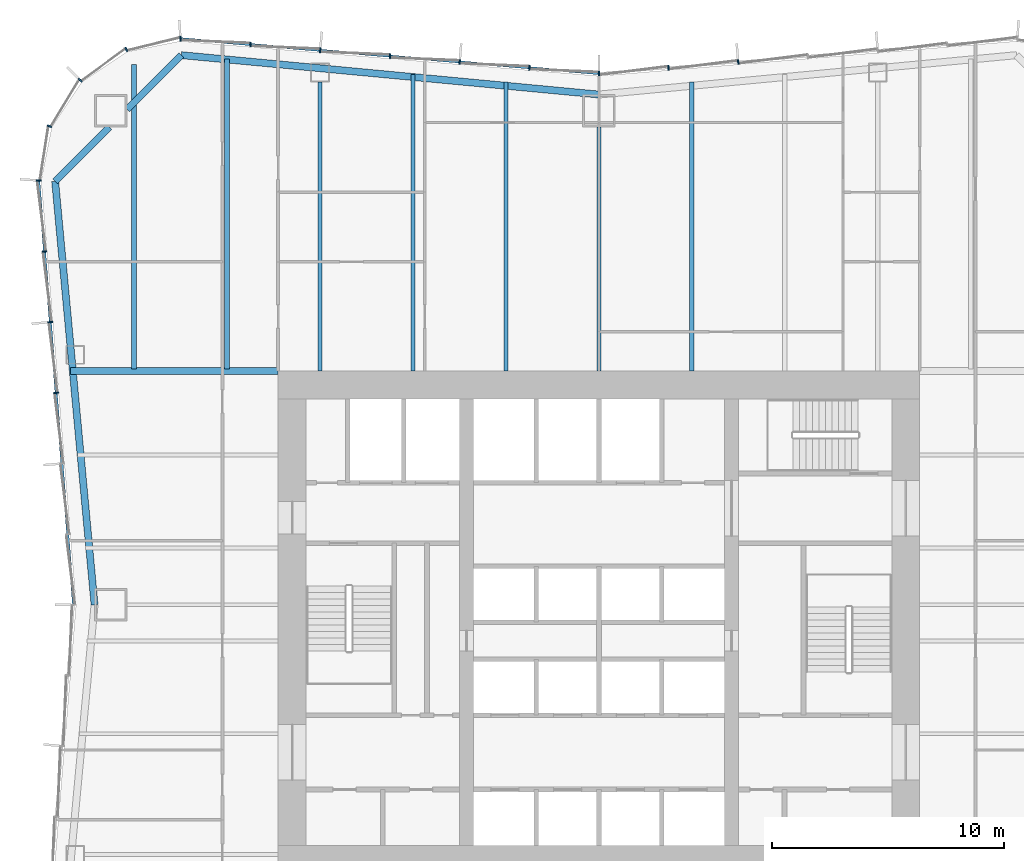
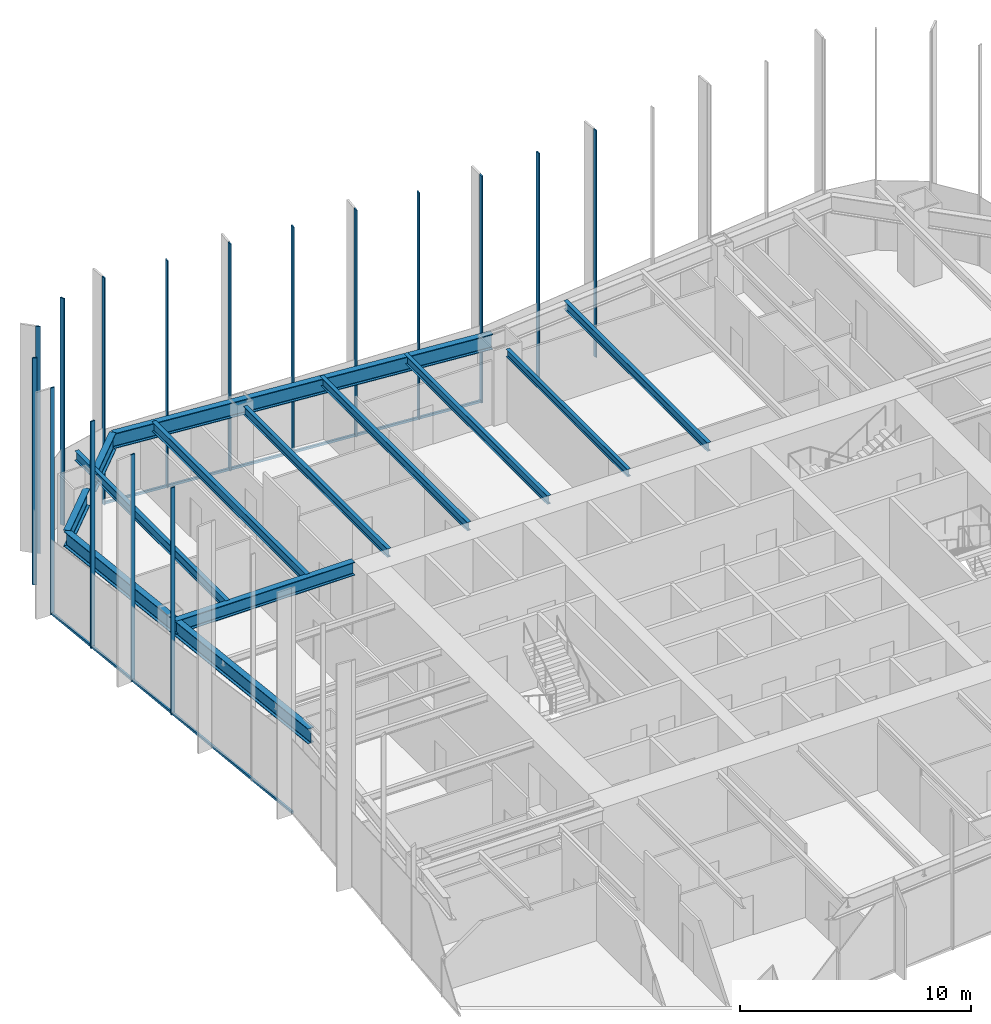
# One storey, part 5 of 13: 18 members, 12 beams, 3 elements without a shape of their own.
"""IFC4 building model written with IfcOpenShell, lengths in metres."""

from ifc_helpers import new_model, si_unit, direction, frame, origin, origin_2d, place, context, subcontext, project, spatial, rectangle, i_section, extrude, material, material_profile, profile_set, type_object, element, aggregate, save


model = new_model("IFC4")

# Units and contexts
model_context = context("Model", 3, precision=1e-05, world=origin(), true_north=direction((0.0, 1.0)))
body_context = subcontext(model_context, "Body", "Model", "MODEL_VIEW")
ifc_project = project(units=[si_unit("LENGTHUNIT", "METRE"), si_unit("AREAUNIT", "SQUARE_METRE"), si_unit("VOLUMEUNIT", "CUBIC_METRE"), si_unit("PLANEANGLEUNIT", "RADIAN"), si_unit("MASSUNIT", "GRAM", prefix="KILO")], contexts=[model_context])

# Site, building, storey
site_placement = place(None, origin())
site = spatial("IfcSite", under=ifc_project, at=site_placement, CompositionType="ELEMENT")
building_placement = place(site_placement, origin())
building = spatial("IfcBuilding", under=site, at=building_placement, Name="Verdant Reach Tower", CompositionType="ELEMENT")
storey_placement = place(building_placement, frame((0.0, 0.0, 94.0)))
storey = spatial("IfcBuildingStorey", under=building, at=storey_placement, Name="L21", CompositionType="ELEMENT", Elevation=94.0)

# Curtain wall, members
ifc_material_1 = material(Name="Anodised aluminium", Category="aluminium")
curtain_wall_type = type_object("IfcCurtainWallType", Name="EN-CW SYSTEM Z1", PredefinedType="NOTDEFINED", material=ifc_material_1)
curtain_wall_1_placement = place(storey_placement, origin())
curtain_wall_1 = element("IfcCurtainWall", 1, at=curtain_wall_1_placement, inside=storey, type_object=curtain_wall_type, Name="Curtain wall north, L21", PredefinedType="NOTDEFINED")
ifc_material_profile_1 = material_profile(ifc_material_1, rectangle(XDim=0.2060546875, YDim=0.06201171875, at=origin_2d()), Name="Mullion 62x206")
ifc_profile_set_1 = profile_set([ifc_material_profile_1], Name="Anodised aluminium")
member_type_1 = type_object("IfcMemberType", Name="EN-MULLION Z1", PredefinedType="MULLION", material=ifc_profile_set_1)
member_1_placement = place(storey_placement, frame((5.991455078125, 52.1025390625, -0.35009765625), z_axis=(0.0, 0.0, 1.0), x_axis=(-0.083045479859, 0.996545758244, 0.0)))
member_1 = element("IfcMember", 2, at=member_1_placement, type_object=member_type_1, Name="Mullion north face part 1 5, L21", PredefinedType="MULLION", context=body_context, shape_type="SweptSolid", body=[
    extrude(rectangle(XDim=0.2060546875, YDim=0.06201171875, at=origin_2d()), origin(), (0.0, 0.0, 1.0), 12.0),
])
member_2_placement = place(storey_placement, frame((2.991455078125, 51.8525390625, -0.35009765625), z_axis=(0.0, 0.0, 1.0), x_axis=(-0.083045479859, 0.996545758244, 0.0)))
member_2 = element("IfcMember", 3, at=member_2_placement, type_object=member_type_1, Name="Mullion north face part 1 6, L21", PredefinedType="MULLION", context=body_context, shape_type="SweptSolid", body=[
    extrude(rectangle(XDim=0.2060546875, YDim=0.06201171875, at=origin_2d()), origin(), (0.0, 0.0, 1.0), 12.0),
])
member_3_placement = place(storey_placement, frame((0.0, 51.60302734375, -0.35009765625), z_axis=(0.0, 0.0, 1.0), x_axis=(0.0, 1.0, 0.0)))
member_3 = element("IfcMember", 4, at=member_3_placement, type_object=member_type_1, Name="Mullion north face part 2 1, L21", PredefinedType="MULLION", context=body_context, shape_type="SweptSolid", body=[
    extrude(rectangle(XDim=0.2060546875, YDim=0.06201171875, at=origin_2d()), origin(), (0.0, 0.0, 1.0), 12.0),
])
member_4_placement = place(storey_placement, frame((-2.991455078125, 51.8525390625, -0.35009765625), z_axis=(0.0, 0.0, 1.0), x_axis=(0.083045479859, 0.996545758244, 0.0)))
member_4 = element("IfcMember", 5, at=member_4_placement, type_object=member_type_1, Name="Mullion north face part 2 2, L21", PredefinedType="MULLION", context=body_context, shape_type="SweptSolid", body=[
    extrude(rectangle(XDim=0.2060546875, YDim=0.06201171875, at=origin_2d()), origin(), (0.0, 0.0, 1.0), 12.0),
])
member_5_placement = place(storey_placement, frame((-5.991455078125, 52.1025390625, -0.35009765625), z_axis=(0.0, 0.0, 1.0), x_axis=(0.083045479859, 0.996545758244, 0.0)))
member_5 = element("IfcMember", 6, at=member_5_placement, type_object=member_type_1, Name="Mullion north face part 2 3, L21", PredefinedType="MULLION", context=body_context, shape_type="SweptSolid", body=[
    extrude(rectangle(XDim=0.2060546875, YDim=0.06201171875, at=origin_2d()), origin(), (0.0, 0.0, 1.0), 12.0),
])
member_6_placement = place(storey_placement, frame((-8.991455078125, 52.3525390625, -0.35009765625), z_axis=(0.0, 0.0, 1.0), x_axis=(0.083045479859, 0.996545758244, 0.0)))
member_6 = element("IfcMember", 7, at=member_6_placement, type_object=member_type_1, Name="Mullion north face part 2 4, L21", PredefinedType="MULLION", context=body_context, shape_type="SweptSolid", body=[
    extrude(rectangle(XDim=0.2060546875, YDim=0.06201171875, at=origin_2d()), origin(), (0.0, 0.0, 1.0), 12.0),
])
member_7_placement = place(storey_placement, frame((-11.991455078125, 52.6025390625, -0.35009765625), z_axis=(0.0, 0.0, 1.0), x_axis=(0.083045479859, 0.996545758244, 0.0)))
member_7 = element("IfcMember", 8, at=member_7_placement, type_object=member_type_1, Name="Mullion north face part 2 5, L21", PredefinedType="MULLION", context=body_context, shape_type="SweptSolid", body=[
    extrude(rectangle(XDim=0.2060546875, YDim=0.06201171875, at=origin_2d()), origin(), (0.0, 0.0, 1.0), 12.0),
])
member_8_placement = place(storey_placement, frame((-14.991455078125, 52.8525390625, -0.35009765625), z_axis=(0.0, 0.0, 1.0), x_axis=(0.083045479859, 0.996545758244, 0.0)))
member_8 = element("IfcMember", 9, at=member_8_placement, type_object=member_type_1, Name="Mullion north face part 2 6, L21", PredefinedType="MULLION", context=body_context, shape_type="SweptSolid", body=[
    extrude(rectangle(XDim=0.2060546875, YDim=0.06201171875, at=origin_2d()), origin(), (0.0, 0.0, 1.0), 12.0),
])

curtain_wall_2_placement = place(storey_placement, origin())
curtain_wall_2 = element("IfcCurtainWall", 10, at=curtain_wall_2_placement, inside=storey, type_object=curtain_wall_type, Name="Curtain wall north-west corner, L21", PredefinedType="NOTDEFINED")
member_9_placement = place(storey_placement, frame((-18.005859375, 53.102783203125, -0.35009765625), z_axis=(0.0, 0.0, 1.0), x_axis=(-0.056569187765, 0.998398681387, 0.0)))
member_9 = element("IfcMember", 11, at=member_9_placement, type_object=member_type_1, Name="Mullion north-west corner 1, L21", PredefinedType="MULLION", context=body_context, shape_type="SweptSolid", body=[
    extrude(rectangle(XDim=0.2060546875, YDim=0.06201171875, at=origin_2d()), origin(), (0.0, 0.0, 1.0), 12.0),
])
member_10_placement = place(storey_placement, frame((-20.33544921875, 52.638427734375, -0.35009765625), z_axis=(0.0, 0.0, 1.0), x_axis=(-0.382693853776, 0.923875215753, 0.0)))
member_10 = element("IfcMember", 12, at=member_10_placement, type_object=member_type_1, Name="Mullion north-west corner 2, L21", PredefinedType="MULLION", context=body_context, shape_type="SweptSolid", body=[
    extrude(rectangle(XDim=0.2060546875, YDim=0.06201171875, at=origin_2d()), origin(), (0.0, 0.0, 1.0), 12.0),
])
member_11_placement = place(storey_placement, frame((-22.3154296875, 51.3154296875, -0.35009765625), z_axis=(0.0, 0.0, 1.0), x_axis=(-0.707106781187, 0.707106781187, 0.0)))
member_11 = element("IfcMember", 13, at=member_11_placement, type_object=member_type_1, Name="Mullion north-west corner 3, L21", PredefinedType="MULLION", context=body_context, shape_type="SweptSolid", body=[
    extrude(rectangle(XDim=0.2060546875, YDim=0.06201171875, at=origin_2d()), origin(), (0.0, 0.0, 1.0), 12.0),
])
member_12_placement = place(storey_placement, frame((-23.638427734375, 49.33544921875, -0.35009765625), z_axis=(0.0, 0.0, 1.0), x_axis=(-0.923875215753, 0.382693853776, 0.0)))
member_12 = element("IfcMember", 14, at=member_12_placement, type_object=member_type_1, Name="Mullion north-west corner 4, L21", PredefinedType="MULLION", context=body_context, shape_type="SweptSolid", body=[
    extrude(rectangle(XDim=0.2060546875, YDim=0.06201171875, at=origin_2d()), origin(), (0.0, 0.0, 1.0), 12.0),
])
aggregate(curtain_wall_2, [member_9, member_10, member_11, member_12])

curtain_wall_3_placement = place(storey_placement, origin())
curtain_wall_3 = element("IfcCurtainWall", 15, at=curtain_wall_3_placement, inside=storey, type_object=curtain_wall_type, Name="Curtain wall west, L21", PredefinedType="NOTDEFINED")
member_13_placement = place(storey_placement, frame((-24.102783203125, 47.005859375, -0.35009765625), z_axis=(0.0, 0.0, 1.0), x_axis=(-0.998366452275, 0.057135164055, 0.0)))
member_13 = element("IfcMember", 16, at=member_13_placement, type_object=member_type_1, Name="Mullion west face part 1 1, L21", PredefinedType="MULLION", context=body_context, shape_type="SweptSolid", body=[
    extrude(rectangle(XDim=0.2060546875, YDim=0.06201171875, at=origin_2d()), origin(), (0.0, 0.0, 1.0), 12.0),
])
member_14_placement = place(storey_placement, frame((-23.8525390625, 43.949951171875, -0.35009765625), z_axis=(0.0, 0.0, 1.0), x_axis=(-0.996639273542, -0.081915556724, 0.0)))
member_14 = element("IfcMember", 17, at=member_14_placement, type_object=member_type_1, Name="Mullion west face part 1 2, L21", PredefinedType="MULLION", context=body_context, shape_type="SweptSolid", body=[
    extrude(rectangle(XDim=0.2060546875, YDim=0.06201171875, at=origin_2d()), origin(), (0.0, 0.0, 1.0), 12.0),
])
member_15_placement = place(storey_placement, frame((-23.6025390625, 40.908203125, -0.35009765625), z_axis=(0.0, 0.0, 1.0), x_axis=(-0.996639273542, -0.081915556724, 0.0)))
member_15 = element("IfcMember", 18, at=member_15_placement, type_object=member_type_1, Name="Mullion west face part 1 3, L21", PredefinedType="MULLION", context=body_context, shape_type="SweptSolid", body=[
    extrude(rectangle(XDim=0.2060546875, YDim=0.06201171875, at=origin_2d()), origin(), (0.0, 0.0, 1.0), 12.0),
])
member_16_placement = place(storey_placement, frame((-23.3525390625, 37.866455078125, -0.35009765625), z_axis=(0.0, 0.0, 1.0), x_axis=(-0.996639273542, -0.081915556724, 0.0)))
member_16 = element("IfcMember", 19, at=member_16_placement, type_object=member_type_1, Name="Mullion west face part 1 4, L21", PredefinedType="MULLION", context=body_context, shape_type="SweptSolid", body=[
    extrude(rectangle(XDim=0.2060546875, YDim=0.06201171875, at=origin_2d()), origin(), (0.0, 0.0, 1.0), 12.0),
])

# Member
ifc_material_profile_2 = material_profile(ifc_material_1, rectangle(XDim=0.10009765625, YDim=0.1220703125, at=origin_2d()), Name="Transom 122x100")
ifc_profile_set_2 = profile_set([ifc_material_profile_2], Name="Anodised aluminium")
member_type_2 = type_object("IfcMemberType", Name="EN-TRANSOM Z1", PredefinedType="USERDEFINED", material=ifc_profile_set_2)
member_17_placement = place(storey_placement, frame((-0.031005859375, 51.60546875, -0.2890625), z_axis=(-0.996547815143, 0.083020793384, 0.0), x_axis=(-0.083020793384, -0.996547815143, 0.0)))
member_17 = element("IfcMember", 20, at=member_17_placement, type_object=member_type_2, Name="Transom north face part 2 1.1, L21", ObjectType="TRANSOM", PredefinedType="USERDEFINED", context=body_context, shape_type="SweptSolid", body=[
    extrude(rectangle(XDim=0.10009765625, YDim=0.1220703125, at=origin_2d()), origin(), (0.0, 0.0, 1.0), 18.006103515625),
])

aggregate(curtain_wall_1, [member_1, member_2, member_3, member_4, member_5, member_6, member_7, member_8, member_17])

member_18_placement = place(storey_placement, frame((-24.100341796875, 46.97509765625, -0.2890625), z_axis=(0.081886623329, -0.996641651207, 0.0), x_axis=(0.996641651207, 0.081886623329, 0.0)))
member_18 = element("IfcMember", 21, at=member_18_placement, type_object=member_type_2, Name="Transom west face part 1 1.1, L21", ObjectType="TRANSOM", PredefinedType="USERDEFINED", context=body_context, shape_type="SweptSolid", body=[
    extrude(rectangle(XDim=0.10009765625, YDim=0.1220703125, at=origin_2d()), origin(), (0.0, 0.0, 1.0), 18.25537109375),
])

aggregate(curtain_wall_3, [member_13, member_14, member_15, member_16, member_18])

# Beams
ifc_material_2 = material(Name="Steel S355", Category="steel")
ifc_material_profile_3 = material_profile(ifc_material_2, i_section(OverallWidth=0.300048828125, OverallDepth=0.699951171875, WebThickness=0.01708984375, FlangeThickness=0.031982421875, FilletRadius=0.027099609375, at=origin_2d()), Name="HEB 700")
ifc_profile_set_3 = profile_set([ifc_material_profile_3], Name="Steel S355")
beam_type_1 = type_object("IfcBeamType", Name="ST-BEAM-HEB700", PredefinedType="BEAM", material=ifc_profile_set_3)
beam_1_placement = place(storey_placement, frame((-13.800048828125, 38.800048828125, 3.52001953125), z_axis=(-1.0, 0.0, 0.0), x_axis=(0.0, -1.0, 0.0)))
element("IfcBeam", 22, at=beam_1_placement, inside=storey, type_object=beam_type_1, Name="Trimmer beam, L21", PredefinedType="BEAM", context=body_context, shape_type="SweptSolid", body=[
    extrude(i_section(OverallWidth=0.300048828125, OverallDepth=0.699951171875, WebThickness=0.01708984375, FlangeThickness=0.031982421875, FilletRadius=0.027099609375, at=origin_2d()), origin(), (0.0, 0.0, 1.0), 8.924072265625),
])
ifc_material_profile_4 = material_profile(ifc_material_2, i_section(OverallWidth=0.179931640625, OverallDepth=0.39990234375, WebThickness=0.008544921875, FlangeThickness=0.013427734375, FilletRadius=0.02099609375, at=origin_2d()), Name="IPE 400")
ifc_profile_set_4 = profile_set([ifc_material_profile_4], Name="Steel S355")
beam_type_2 = type_object("IfcBeamType", Name="ST-JOIST-IPE400", PredefinedType="JOIST", material=ifc_profile_set_4)
beam_2_placement = place(storey_placement, frame((0.0, 38.800048828125, 3.669921875), z_axis=(0.0, 1.0, 0.0), x_axis=(-1.0, 0.0, 0.0)))
element("IfcBeam", 23, at=beam_2_placement, inside=storey, type_object=beam_type_2, Name="Floor joist, L21", PredefinedType="JOIST", context=body_context, shape_type="SweptSolid", body=[
    extrude(i_section(OverallWidth=0.179931640625, OverallDepth=0.39990234375, WebThickness=0.008544921875, FlangeThickness=0.013427734375, FilletRadius=0.02099609375, at=origin_2d()), origin(), (0.0, 0.0, 1.0), 10.5),
])
ifc_material_profile_5 = material_profile(ifc_material_2, i_section(OverallWidth=0.18994140625, OverallDepth=0.449951171875, WebThickness=0.009521484375, FlangeThickness=0.0146484375, FilletRadius=0.02099609375, at=origin_2d()), Name="IPE 450")
ifc_profile_set_5 = profile_set([ifc_material_profile_5], Name="Steel S355")
beam_type_3 = type_object("IfcBeamType", Name="ST-JOIST-IPE450", PredefinedType="JOIST", material=ifc_profile_set_5)
beam_3_placement = place(storey_placement, frame((-12.0, 38.800048828125, 3.64501953125), z_axis=(0.0, 1.0, 0.0), x_axis=(-1.0, 0.0, 0.0)))
element("IfcBeam", 24, at=beam_3_placement, inside=storey, type_object=beam_type_3, Name="Floor joist, L21", PredefinedType="JOIST", context=body_context, shape_type="SweptSolid", body=[
    extrude(i_section(OverallWidth=0.18994140625, OverallDepth=0.449951171875, WebThickness=0.009521484375, FlangeThickness=0.0146484375, FilletRadius=0.02099609375, at=origin_2d()), origin(), (0.0, 0.0, 1.0), 12.449951171875),
])
beam_4_placement = place(storey_placement, frame((-8.0, 38.800048828125, 3.64501953125), z_axis=(0.0, 1.0, 0.0), x_axis=(-1.0, 0.0, 0.0)))
element("IfcBeam", 25, at=beam_4_placement, inside=storey, type_object=beam_type_3, Name="Floor joist, L21", PredefinedType="JOIST", context=body_context, shape_type="SweptSolid", body=[
    extrude(i_section(OverallWidth=0.18994140625, OverallDepth=0.449951171875, WebThickness=0.009521484375, FlangeThickness=0.0146484375, FilletRadius=0.02099609375, at=origin_2d()), origin(), (0.0, 0.0, 1.0), 12.7646484375),
])
for number, where, z_axis, x_axis, name in (
    (26, (-4.0, 38.800048828125, 3.64501953125), (0.0, 1.0, 0.0), (-1.0, 0.0, 0.0), "Floor joist, L21"),
    (27, (4.0, 38.800048828125, 3.64501953125), (0.0, 1.0, 0.0), (-1.0, 0.0, 0.0), "Floor joist, L21"),
):
    element("IfcBeam", number, at=place(storey_placement, frame(where, z_axis=z_axis, x_axis=x_axis)), inside=storey, type_object=beam_type_3, Name=name, PredefinedType="JOIST", context=body_context, shape_type="SweptSolid", body=[
        extrude(i_section(OverallWidth=0.18994140625, OverallDepth=0.449951171875, WebThickness=0.009521484375, FlangeThickness=0.0146484375, FilletRadius=0.02099609375, at=origin_2d()), origin(), (0.0, 0.0, 1.0), 12.43115234375),
    ])
ifc_material_profile_6 = material_profile(ifc_material_2, i_section(OverallWidth=0.199951171875, OverallDepth=0.5, WebThickness=0.01025390625, FlangeThickness=0.01611328125, FilletRadius=0.02099609375, at=origin_2d()), Name="IPE 500")
ifc_profile_set_6 = profile_set([ifc_material_profile_6], Name="Steel S355")
beam_type_4 = type_object("IfcBeamType", Name="ST-JOIST-IPE500", PredefinedType="JOIST", material=ifc_profile_set_6)
beam_5_placement = place(storey_placement, frame((-20.0, 38.89990234375, 3.6201171875), z_axis=(0.0, 1.0, 0.0), x_axis=(-1.0, 0.0, 0.0)))
element("IfcBeam", 28, at=beam_5_placement, inside=storey, type_object=beam_type_4, Name="Floor joist, L21", PredefinedType="JOIST", context=body_context, shape_type="SweptSolid", body=[
    extrude(i_section(OverallWidth=0.199951171875, OverallDepth=0.5, WebThickness=0.01025390625, FlangeThickness=0.01611328125, FilletRadius=0.02099609375, at=origin_2d()), origin(), (0.0, 0.0, 1.0), 13.090576171875),
])
beam_6_placement = place(storey_placement, frame((-16.0, 38.89990234375, 3.6201171875), z_axis=(0.0, 1.0, 0.0), x_axis=(-1.0, 0.0, 0.0)))
element("IfcBeam", 29, at=beam_6_placement, inside=storey, type_object=beam_type_4, Name="Floor joist, L21", PredefinedType="JOIST", context=body_context, shape_type="SweptSolid", body=[
    extrude(i_section(OverallWidth=0.199951171875, OverallDepth=0.5, WebThickness=0.01025390625, FlangeThickness=0.01611328125, FilletRadius=0.02099609375, at=origin_2d()), origin(), (0.0, 0.0, 1.0), 13.331298828125),
])
ifc_material_profile_7 = material_profile(ifc_material_2, i_section(OverallWidth=0.300048828125, OverallDepth=0.800048828125, WebThickness=0.017578125, FlangeThickness=0.032958984375, FilletRadius=0.030029296875, at=origin_2d()), Name="HEB 800")
ifc_profile_set_7 = profile_set([ifc_material_profile_7], Name="Steel S355")
beam_type_5 = type_object("IfcBeamType", Name="ST-SPANDREL-HEB800", PredefinedType="SPANDREL", material=ifc_profile_set_7)
beam_7_placement = place(storey_placement, frame((-21.699951171875, 28.75, 3.469970703125), z_axis=(-0.092656907618, 0.995698095544, 0.0), x_axis=(-0.995698095544, -0.092656907618, 0.0)))
element("IfcBeam", 30, at=beam_7_placement, inside=storey, type_object=beam_type_5, Name="Edge beam, L21", PredefinedType="SPANDREL", context=body_context, shape_type="SweptSolid", body=[
    extrude(i_section(OverallWidth=0.300048828125, OverallDepth=0.800048828125, WebThickness=0.017578125, FlangeThickness=0.032958984375, FilletRadius=0.030029296875, at=origin_2d()), origin(), (0.0, 0.0, 1.0), 18.2939453125),
])
beam_8_placement = place(storey_placement, frame((-17.9658203125, 52.39501953125, 3.469970703125), z_axis=(0.995578571765, -0.093932462137, 0.0), x_axis=(0.093932462137, 0.995578571765, 0.0)))
element("IfcBeam", 31, at=beam_8_placement, inside=storey, type_object=beam_type_5, Name="Edge beam, L21", PredefinedType="SPANDREL", context=body_context, shape_type="SweptSolid", body=[
    extrude(i_section(OverallWidth=0.300048828125, OverallDepth=0.800048828125, WebThickness=0.017578125, FlangeThickness=0.032958984375, FilletRadius=0.030029296875, at=origin_2d()), origin(), (0.0, 0.0, 1.0), 18.045654296875),
])
ifc_material_profile_8 = material_profile(ifc_material_2, i_section(OverallWidth=0.302001953125, OverallDepth=0.909912109375, WebThickness=0.02099609375, FlangeThickness=0.0400390625, FilletRadius=0.030029296875, at=origin_2d()), Name="HEM 900")
ifc_profile_set_8 = profile_set([ifc_material_profile_8], Name="Steel S355")
beam_type_6 = type_object("IfcBeamType", Name="ST-SPANDREL-HEM900", PredefinedType="SPANDREL", material=ifc_profile_set_8)
beam_9_placement = place(storey_placement, frame((-23.39501953125, 46.96533203125, 3.4150390625), z_axis=(0.707069807316, 0.707143753123, 0.0), x_axis=(-0.707143753123, 0.707069807316, 0.0)))
element("IfcBeam", 32, at=beam_9_placement, inside=storey, type_object=beam_type_6, Name="Edge beam, L21", PredefinedType="SPANDREL", context=body_context, shape_type="SweptSolid", body=[
    extrude(i_section(OverallWidth=0.302001953125, OverallDepth=0.909912109375, WebThickness=0.02099609375, FlangeThickness=0.0400390625, FilletRadius=0.030029296875, at=origin_2d()), origin(), (0.0, 0.0, 1.0), 3.301513671875),
])
beam_10_placement = place(storey_placement, frame((-20.300048828125, 50.060791015625, 3.4150390625), z_axis=(0.707106781187, 0.707106781187, 0.0), x_axis=(-0.707106781187, 0.707106781187, 0.0)))
element("IfcBeam", 33, at=beam_10_placement, inside=storey, type_object=beam_type_6, Name="Edge beam, L21", PredefinedType="SPANDREL", context=body_context, shape_type="SweptSolid", body=[
    extrude(i_section(OverallWidth=0.302001953125, OverallDepth=0.909912109375, WebThickness=0.02099609375, FlangeThickness=0.0400390625, FilletRadius=0.030029296875, at=origin_2d()), origin(), (0.0, 0.0, 1.0), 3.301025390625),
])

save(model, "model.ifc")
